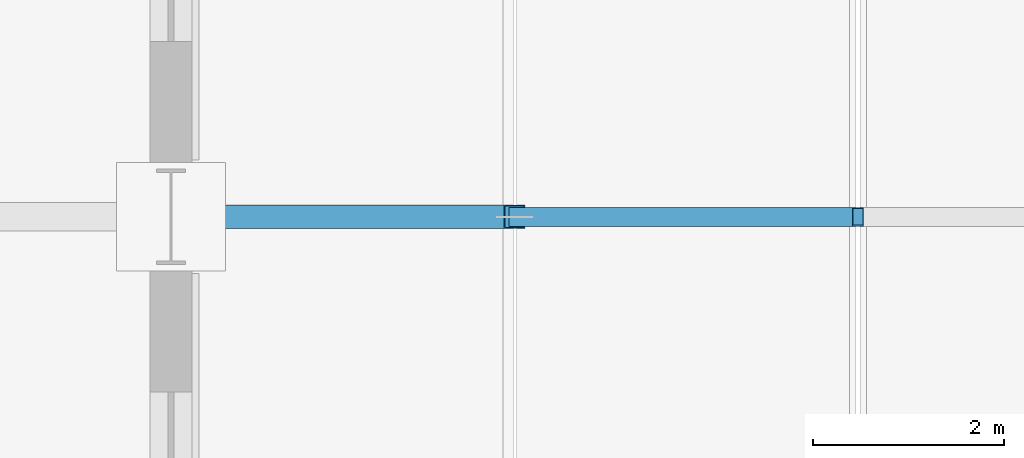
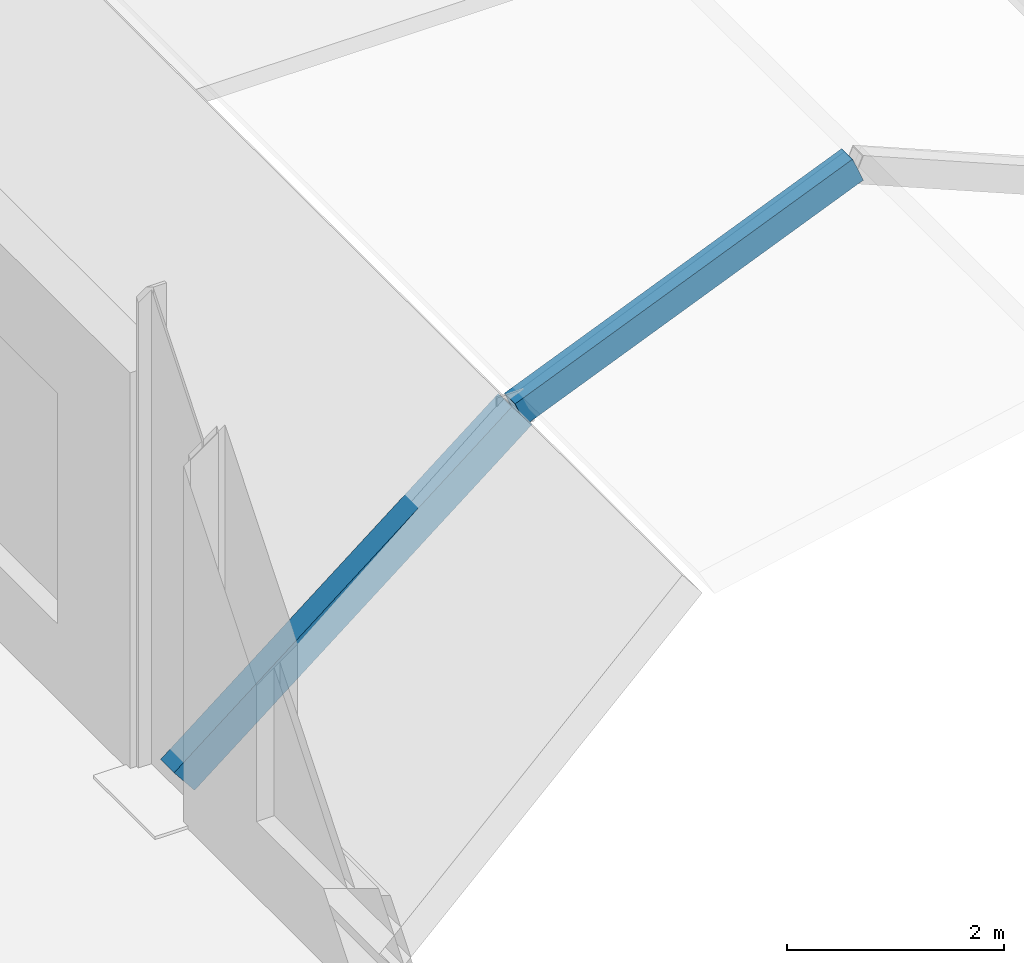
# One storey, part 35 of 141: 2 members.
"""IFC4 building model written with IfcOpenShell, lengths in metres."""

from ifc_helpers import new_model, si_unit, direction, frame, origin, origin_2d, place, context, subcontext, project, spatial, hollow_rectangle, extrude, material, material_profile, profile_set, type_object, element, save


model = new_model("IFC4")

# Units and contexts
model_context = context("Model", 3, precision=1e-05, world=origin(), true_north=direction((0.0, 1.0)))
body_context = subcontext(model_context, "Body", "Model", "MODEL_VIEW")
ifc_project = project(units=[si_unit("LENGTHUNIT", "METRE"), si_unit("AREAUNIT", "SQUARE_METRE"), si_unit("VOLUMEUNIT", "CUBIC_METRE"), si_unit("PLANEANGLEUNIT", "RADIAN"), si_unit("MASSUNIT", "GRAM", prefix="KILO")], contexts=[model_context])

# Site, building, storey
site_placement = place(None, origin())
site = spatial("IfcSite", under=ifc_project, at=site_placement, CompositionType="ELEMENT")
building_placement = place(site_placement, origin())
building = spatial("IfcBuilding", under=site, at=building_placement, Name="Sundgate Opera House", CompositionType="ELEMENT")
storey_placement = place(building_placement, frame((0.0, 0.0, 11.39990234375)))
storey = spatial("IfcBuildingStorey", under=building, at=storey_placement, Name="L02", CompositionType="ELEMENT", Elevation=11.39990234375)

# Members
ifc_material_1 = material(Name="Steel S355J2", Category="steel")
ifc_material_profile_1 = material_profile(ifc_material_1, hollow_rectangle(XDim=0.199951171875, YDim=0.300048828125, WallThickness=0.012451171875, at=origin_2d()), Name="RHS 300x200x12.5")
ifc_profile_set_1 = profile_set([ifc_material_profile_1], Name="Steel S355J2")
member_type_1 = type_object("IfcMemberType", Name="MB-ARCH-RHS300", PredefinedType="USERDEFINED", material=ifc_profile_set_1)
member_1_placement = place(storey_placement, frame((84.60009765625, 60.0, 3.050048828125), z_axis=(0.923071366561, 0.0, 0.384628719983), x_axis=(0.0, 1.0, 0.0)))
element("IfcMember", 1, at=member_1_placement, inside=storey, type_object=member_type_1, Name="Passage Parabolic Arch Rib M0329", ObjectType="ARCH RIB", PredefinedType="USERDEFINED", context=body_context, shape_type="SweptSolid", body=[
    extrude(hollow_rectangle(XDim=0.199951171875, YDim=0.300048828125, WallThickness=0.012451171875, at=origin_2d()), origin(), (0.0, 0.0, 1.0), 3.89990234375),
])
ifc_material_2 = material(Name="Steel S355ML", Category="steel")
ifc_material_profile_2 = material_profile(ifc_material_2, hollow_rectangle(XDim=0.25, YDim=0.35009765625, WallThickness=0.012451171875, at=origin_2d()), Name="RHS 350x250x12.5")
ifc_profile_set_2 = profile_set([ifc_material_profile_2], Name="Steel S355ML")
member_type_2 = type_object("IfcMemberType", Name="MB-ARCH-RHS350", PredefinedType="USERDEFINED", material=ifc_profile_set_2)
member_2_placement = place(storey_placement, frame((81.0, 60.0, 0.18505859375), z_axis=(0.782465902377, 0.0, 0.622693433093), x_axis=(0.0, 1.0, 0.0)))
element("IfcMember", 2, at=member_2_placement, inside=storey, type_object=member_type_2, Name="Passage Parabolic Arch Rib M0328", ObjectType="ARCH RIB", PredefinedType="USERDEFINED", context=body_context, shape_type="SweptSolid", body=[
    extrude(hollow_rectangle(XDim=0.25, YDim=0.35009765625, WallThickness=0.012451171875, at=origin_2d()), origin(), (0.0, 0.0, 1.0), 4.60107421875),
])

save(model, "model.ifc")
